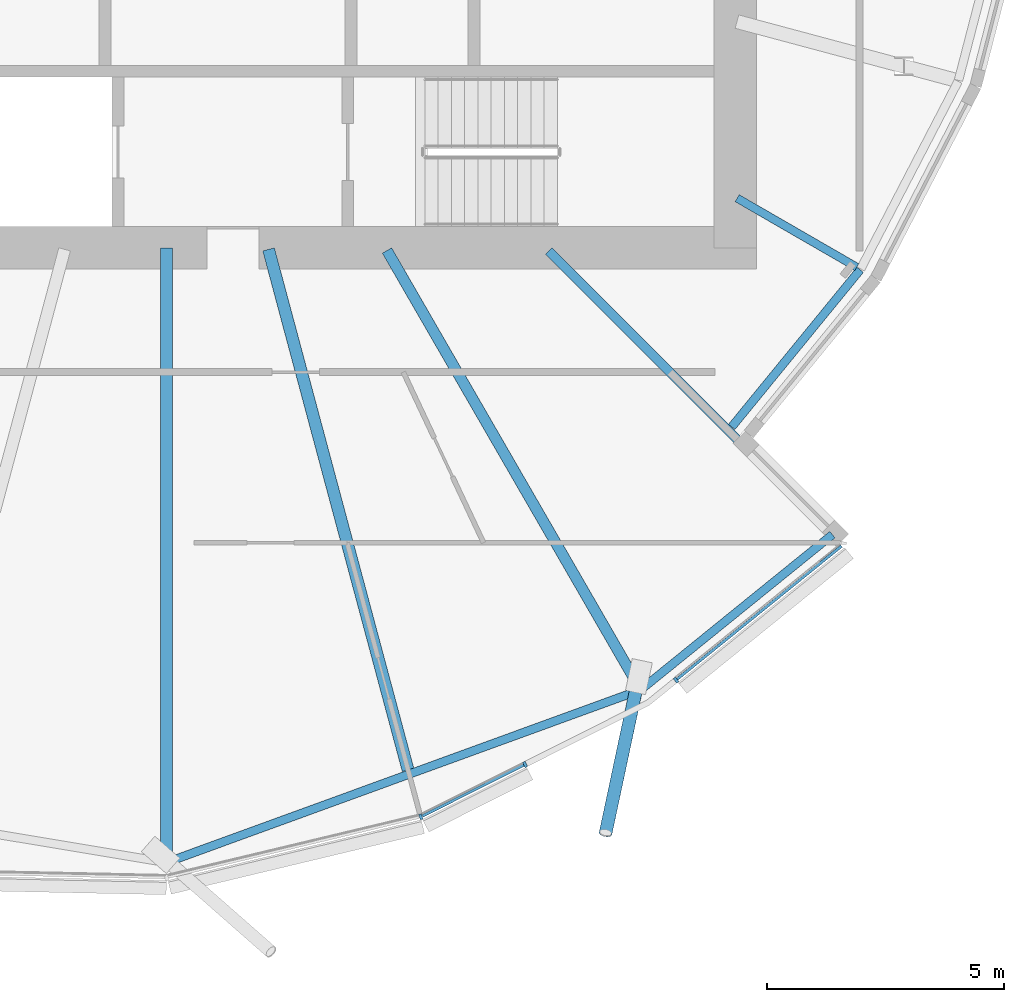
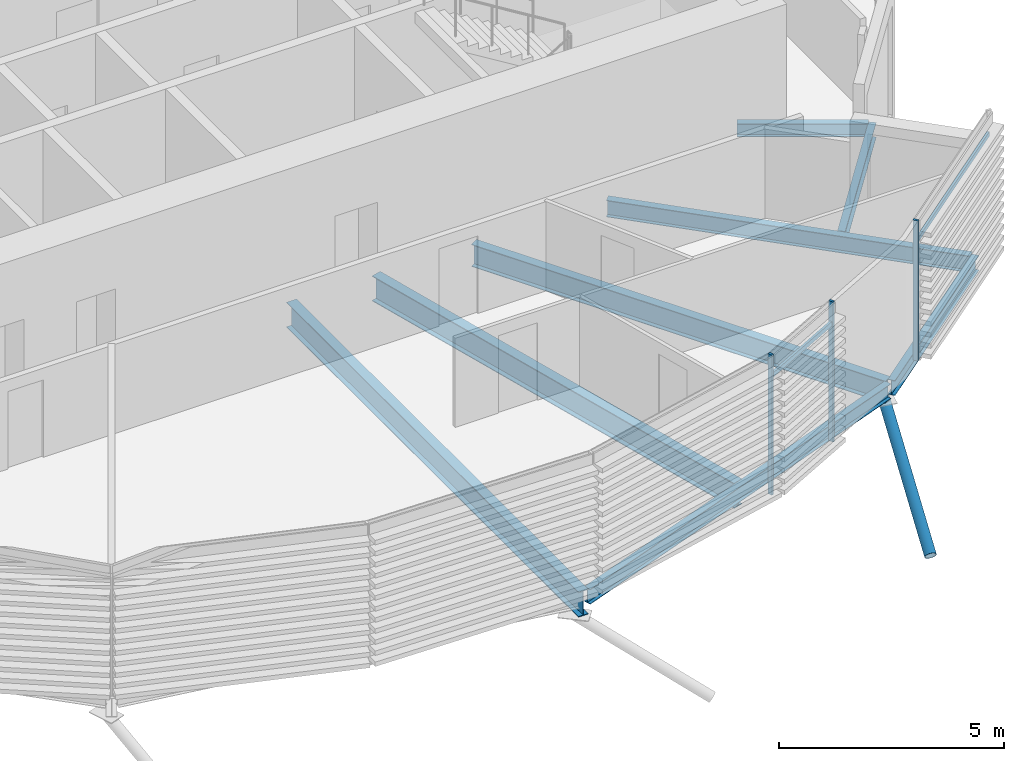
# One storey, part 14 of 38: 8 beams, 6 members, 1 element without a shape of its own.
"""IFC4 building model written with IfcOpenShell, lengths in metres."""

from ifc_helpers import new_model, si_unit, direction, frame, origin, origin_2d, place, context, subcontext, project, spatial, rectangle, hollow_circle, i_section, extrude, clip, halfspace, material, material_profile, profile_set, type_object, element, aggregate, save


model = new_model("IFC4")

# Units and contexts
model_context = context("Model", 3, precision=1e-05, world=origin(), true_north=direction((0.0, 1.0)))
body_context = subcontext(model_context, "Body", "Model", "MODEL_VIEW")
ifc_project = project(units=[si_unit("LENGTHUNIT", "METRE"), si_unit("AREAUNIT", "SQUARE_METRE"), si_unit("VOLUMEUNIT", "CUBIC_METRE"), si_unit("PLANEANGLEUNIT", "RADIAN"), si_unit("MASSUNIT", "GRAM", prefix="KILO")], contexts=[model_context])

# Site, building, storey
site_placement = place(None, origin())
site = spatial("IfcSite", under=ifc_project, at=site_placement, CompositionType="ELEMENT")
building_placement = place(site_placement, origin())
building = spatial("IfcBuilding", under=site, at=building_placement, Name="Rimbun Link Towers", CompositionType="ELEMENT")
storey_placement = place(building_placement, frame((0.0, 0.0, 49.0)))
storey = spatial("IfcBuildingStorey", under=building, at=storey_placement, Name="L11", CompositionType="ELEMENT", Elevation=49.0)

# Curtain wall, members
ifc_material_1 = material(Name="Aluminium 6063-T6 and low-iron glass", Category="aluminium")
curtain_wall_type = type_object("IfcCurtainWallType", Name="CW1 unitised vision wall", PredefinedType="NOTDEFINED", material=ifc_material_1)
curtain_wall_placement = place(storey_placement, origin())
curtain_wall = element("IfcCurtainWall", 1, at=curtain_wall_placement, inside=storey, type_object=curtain_wall_type, Name="CW1 L11 T2", PredefinedType="NOTDEFINED")
ifc_material_2 = material(Name="Aluminium 6063-T6", Category="aluminium")
ifc_material_profile_1 = material_profile(ifc_material_2, rectangle(XDim=0.1201171875, YDim=0.06005859375, at=origin_2d()), Name="MULLION 60X120")
ifc_profile_set_1 = profile_set([ifc_material_profile_1], Name="Aluminium 6063-T6")
member_type_1 = type_object("IfcMemberType", Name="CW1 mullion 60X120", PredefinedType="MULLION", material=ifc_profile_set_1)
member_1_placement = place(storey_placement, frame((37.116943359375, -20.009521484375, 0.0), z_axis=(0.0, 0.0, 1.0), x_axis=(0.342965819961, -0.939347883555, 0.0)))
member_1 = element("IfcMember", 2, at=member_1_placement, type_object=member_type_1, Name="CW1 mullion", PredefinedType="MULLION", context=body_context, shape_type="SweptSolid", body=[
    extrude(rectangle(XDim=0.1201171875, YDim=0.06005859375, at=origin_2d()), origin(), (0.0, 0.0, 1.0), 3.800048828125),
])
member_2_placement = place(storey_placement, frame((39.317626953125, -18.90478515625, 0.0), z_axis=(0.0, 0.0, 1.0), x_axis=(0.448766443776, -0.893649080423, 0.0)))
member_2 = element("IfcMember", 3, at=member_2_placement, type_object=member_type_1, Name="CW1 mullion", PredefinedType="MULLION", context=body_context, shape_type="SweptSolid", body=[
    extrude(rectangle(XDim=0.1201171875, YDim=0.06005859375, at=origin_2d()), origin(), (0.0, 0.0, 1.0), 3.800048828125),
])
member_3_placement = place(storey_placement, frame((42.503173828125, -17.12451171875, 0.0), z_axis=(0.0, 0.0, 1.0), x_axis=(0.629154590729, -0.777280194631, 0.0)))
member_3 = element("IfcMember", 4, at=member_3_placement, type_object=member_type_1, Name="CW1 mullion", PredefinedType="MULLION", context=body_context, shape_type="SweptSolid", body=[
    extrude(rectangle(XDim=0.1201171875, YDim=0.06005859375, at=origin_2d()), origin(), (0.0, 0.0, 1.0), 3.800048828125),
])
ifc_material_3 = material(Name="Aluminium 6063-T6", Category="aluminium")
ifc_material_profile_2 = material_profile(ifc_material_3, rectangle(XDim=0.06005859375, YDim=0.1201171875, at=origin_2d()), Name="TRANSOM 60X120")
ifc_profile_set_2 = profile_set([ifc_material_profile_2], Name="Aluminium 6063-T6")
member_type_2 = type_object("IfcMemberType", Name="CW1 transom 60X120", PredefinedType="USERDEFINED", material=ifc_profile_set_2)
member_4_placement = place(storey_placement, frame((39.2900390625, -18.91650390625, 3.199951171875), z_axis=(-0.893671765852, -0.448721266398, 0.0), x_axis=(0.448721266398, -0.893671765852, 0.0)))
member_4 = element("IfcMember", 5, at=member_4_placement, type_object=member_type_2, Name="CW1 transom", ObjectType="TRANSOM", PredefinedType="USERDEFINED", context=body_context, shape_type="SweptSolid", body=[
    extrude(rectangle(XDim=0.06005859375, YDim=0.1201171875, at=origin_2d()), origin(), (0.0, 0.0, 1.0), 2.3955078125),
])
member_5_placement = place(storey_placement, frame((45.994873046875, -14.295654296875, 3.199951171875), z_axis=(-0.777270342652, -0.629166762023, 0.0), x_axis=(0.629166762023, -0.777270342652, 0.0)))
member_5 = element("IfcMember", 6, at=member_5_placement, type_object=member_type_2, Name="CW1 transom", ObjectType="TRANSOM", PredefinedType="USERDEFINED", context=body_context, shape_type="SweptSolid", body=[
    extrude(rectangle(XDim=0.06005859375, YDim=0.1201171875, at=origin_2d()), origin(), (0.0, 0.0, 1.0), 4.464111328125),
])
aggregate(curtain_wall, [member_1, member_2, member_3, member_4, member_5])

# Member
ifc_material_4 = material(Name="Steel S355J2H", Category="steel")
ifc_material_profile_3 = material_profile(ifc_material_4, hollow_circle(Radius=0.136474609375, WallThickness=0.012451171875, at=origin_2d()), Name="CHS 273x12.5")
ifc_profile_set_3 = profile_set([ifc_material_profile_3], Name="Steel S355J2H")
member_type_3 = type_object("IfcMemberType", Name="Floor edge link CHS 273x12.5", PredefinedType="BRACE", material=ifc_profile_set_3)
member_6_placement = place(storey_placement, frame((41.685302734375, -17.20849609375, -0.879638671875), z_axis=(-0.177961720112, -0.836582162598, -0.518131172), x_axis=(0.978114135164, -0.208069071685, 0.0)))
element("IfcMember", 7, at=member_6_placement, inside=storey, type_object=member_type_3, Name="Floor edge link T2 L11 17", PredefinedType="BRACE", context=body_context, shape_type="Clipping", body=[
    clip(extrude(hollow_circle(Radius=0.136474609375, WallThickness=0.012451171875, at=origin_2d()), frame((0.0, 0.0, -0.469970703125)), (0.0, 0.0, 1.0), 4.23583984375), halfspace(frame((0.0, 0.0, -0.221923828125), z_axis=(0.0, 0.855301168363, -0.518131172)), False)),
])

# Beams
ifc_material_5 = material(Name="Steel S355J2", Category="steel")
ifc_material_profile_4 = material_profile(ifc_material_5, i_section(OverallWidth=0.17138671875, OverallDepth=0.35498046875, WebThickness=0.00732421875, FlangeThickness=0.011474609375, at=origin_2d()), Name="UB 356x171x51")
ifc_profile_set_4 = profile_set([ifc_material_profile_4], Name="Steel S355J2")
beam_type_1 = type_object("IfcBeamType", Name="UB 356x171x51", PredefinedType="BEAM", material=ifc_profile_set_4)
beam_1_placement = place(storey_placement, frame((43.793701171875, -6.95361328125, -0.33740234375), z_axis=(0.866048875712, -0.499959343224, 0.0), x_axis=(0.499959343224, 0.866048875712, 0.0)))
element("IfcBeam", 8, at=beam_1_placement, inside=storey, type_object=beam_type_1, Name="Radial beam T2 L11 19", PredefinedType="BEAM", context=body_context, shape_type="SweptSolid", body=[
    extrude(i_section(OverallWidth=0.17138671875, OverallDepth=0.35498046875, WebThickness=0.00732421875, FlangeThickness=0.011474609375, at=origin_2d()), origin(), (0.0, 0.0, 1.0), 2.914306640625),
])
ifc_material_6 = material(Name="Steel S355J2", Category="steel")
ifc_material_profile_5 = material_profile(ifc_material_6, i_section(OverallWidth=0.177978515625, OverallDepth=0.406494140625, WebThickness=0.0078125, FlangeThickness=0.0126953125, at=origin_2d()), Name="UB 406x178x60")
ifc_profile_set_5 = profile_set([ifc_material_profile_5], Name="Steel S355J2")
beam_type_2 = type_object("IfcBeamType", Name="UB 406x178x60", PredefinedType="BEAM", material=ifc_profile_set_5)
beam_2_placement = place(storey_placement, frame((31.877685546875, -20.92822265625, -0.36328125), z_axis=(0.939626011614, 0.342203095103, 0.0), x_axis=(-0.342203095103, 0.939626011614, 0.0)))
element("IfcBeam", 9, at=beam_2_placement, inside=storey, type_object=beam_type_2, Name="Edge beam T2 L11 15-17", PredefinedType="BEAM", context=body_context, shape_type="SweptSolid", body=[
    extrude(i_section(OverallWidth=0.177978515625, OverallDepth=0.406494140625, WebThickness=0.0078125, FlangeThickness=0.0126953125, at=origin_2d()), origin(), (0.0, 0.0, 1.0), 10.396240234375),
])
beam_3_placement = place(storey_placement, frame((41.756591796875, -17.330078125, -0.36328125), z_axis=(0.77728746002, 0.629145614699, 0.0), x_axis=(-0.629145614699, 0.77728746002, 0.0)))
element("IfcBeam", 10, at=beam_3_placement, inside=storey, type_object=beam_type_2, Name="Edge beam T2 L11 17", PredefinedType="BEAM", context=body_context, shape_type="SweptSolid", body=[
    extrude(i_section(OverallWidth=0.177978515625, OverallDepth=0.406494140625, WebThickness=0.0078125, FlangeThickness=0.0126953125, at=origin_2d()), origin(), (0.0, 0.0, 1.0), 5.2060546875),
])
beam_4_placement = place(storey_placement, frame((43.6787109375, -11.7802734375, -0.36328125), z_axis=(0.632828006599, 0.774292395717, 0.0), x_axis=(-0.774292395717, 0.632828006599, 0.0)))
element("IfcBeam", 11, at=beam_4_placement, inside=storey, type_object=beam_type_2, Name="Edge beam T2 L11 18 recess", PredefinedType="BEAM", context=body_context, shape_type="SweptSolid", body=[
    extrude(i_section(OverallWidth=0.177978515625, OverallDepth=0.406494140625, WebThickness=0.0078125, FlangeThickness=0.0126953125, at=origin_2d()), origin(), (0.0, 0.0, 1.0), 4.283447265625),
])
ifc_material_7 = material(Name="Steel S355J2", Category="steel")
ifc_material_profile_6 = material_profile(ifc_material_7, i_section(OverallWidth=0.18994140625, OverallDepth=0.453369140625, WebThickness=0.008544921875, FlangeThickness=0.0126953125, at=origin_2d()), Name="UB 457x191x67")
ifc_profile_set_6 = profile_set([ifc_material_profile_6], Name="Steel S355J2")
beam_type_3 = type_object("IfcBeamType", Name="UB 457x191x67", PredefinedType="BEAM", material=ifc_profile_set_6)
beam_5_placement = place(storey_placement, frame((39.81787109375, -8.06787109375, -0.38671875), z_axis=(0.707106781187, -0.707106781187, 0.0), x_axis=(0.707106781187, 0.707106781187, 0.0)))
element("IfcBeam", 12, at=beam_5_placement, inside=storey, type_object=beam_type_3, Name="Radial beam T2 L11 18", PredefinedType="BEAM", context=body_context, shape_type="SweptSolid", body=[
    extrude(i_section(OverallWidth=0.18994140625, OverallDepth=0.453369140625, WebThickness=0.008544921875, FlangeThickness=0.0126953125, at=origin_2d()), origin(), (0.0, 0.0, 1.0), 8.375244140625),
])
ifc_material_8 = material(Name="Steel S355J2", Category="steel")
ifc_material_profile_7 = material_profile(ifc_material_8, i_section(OverallWidth=0.2275390625, OverallDepth=0.6025390625, WebThickness=0.010498046875, FlangeThickness=0.014892578125, at=origin_2d()), Name="UB 610x229x101")
ifc_profile_set_7 = profile_set([ifc_material_profile_7], Name="Steel S355J2")
beam_type_4 = type_object("IfcBeamType", Name="UB 610x229x101", PredefinedType="BEAM", material=ifc_profile_set_7)
beam_6_placement = place(storey_placement, frame((36.402099609375, -8.057861328125, -0.461181640625), z_axis=(0.500002476143, -0.866023974178, 0.0), x_axis=(0.866023974178, 0.500002476143, 0.0)))
element("IfcBeam", 13, at=beam_6_placement, inside=storey, type_object=beam_type_4, Name="Radial beam T2 L11 17", PredefinedType="BEAM", context=body_context, shape_type="SweptSolid", body=[
    extrude(i_section(OverallWidth=0.2275390625, OverallDepth=0.6025390625, WebThickness=0.010498046875, FlangeThickness=0.014892578125, at=origin_2d()), origin(), (0.0, 0.0, 1.0), 10.6162109375),
])
ifc_material_9 = material(Name="Steel S355J2", Category="steel")
ifc_material_profile_8 = material_profile(ifc_material_9, i_section(OverallWidth=0.253662109375, OverallDepth=0.68359375, WebThickness=0.012451171875, FlangeThickness=0.01904296875, at=origin_2d()), Name="UB 686x254x140")
ifc_profile_set_8 = profile_set([ifc_material_profile_8], Name="Steel S355J2")
beam_type_5 = type_object("IfcBeamType", Name="UB 686x254x140", PredefinedType="BEAM", material=ifc_profile_set_8)
beam_7_placement = place(storey_placement, frame((31.75, -8.0009765625, -0.501708984375), z_axis=(0.0, -1.0, 0.0), x_axis=(1.0, 0.0, 0.0)))
element("IfcBeam", 14, at=beam_7_placement, inside=storey, type_object=beam_type_5, Name="Radial beam T2 L11 15", PredefinedType="BEAM", context=body_context, shape_type="SweptSolid", body=[
    extrude(i_section(OverallWidth=0.253662109375, OverallDepth=0.68359375, WebThickness=0.012451171875, FlangeThickness=0.01904296875, at=origin_2d()), origin(), (0.0, 0.0, 1.0), 12.973876953125),
])
beam_8_placement = place(storey_placement, frame((33.902587890625, -8.03369140625, -0.501708984375), z_axis=(0.25882583061, -0.965924008092, 0.0), x_axis=(0.965924008092, 0.25882583061, 0.0)))
element("IfcBeam", 15, at=beam_8_placement, inside=storey, type_object=beam_type_5, Name="Radial beam T2 L11 16", PredefinedType="BEAM", context=body_context, shape_type="SweptSolid", body=[
    extrude(i_section(OverallWidth=0.253662109375, OverallDepth=0.68359375, WebThickness=0.012451171875, FlangeThickness=0.01904296875, at=origin_2d()), origin(), (0.0, 0.0, 1.0), 11.376708984375),
])

save(model, "model.ifc")
